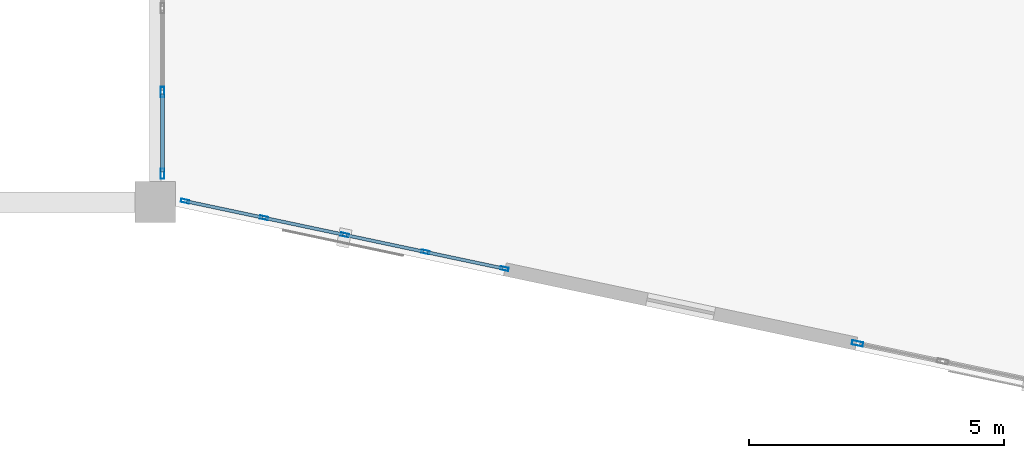
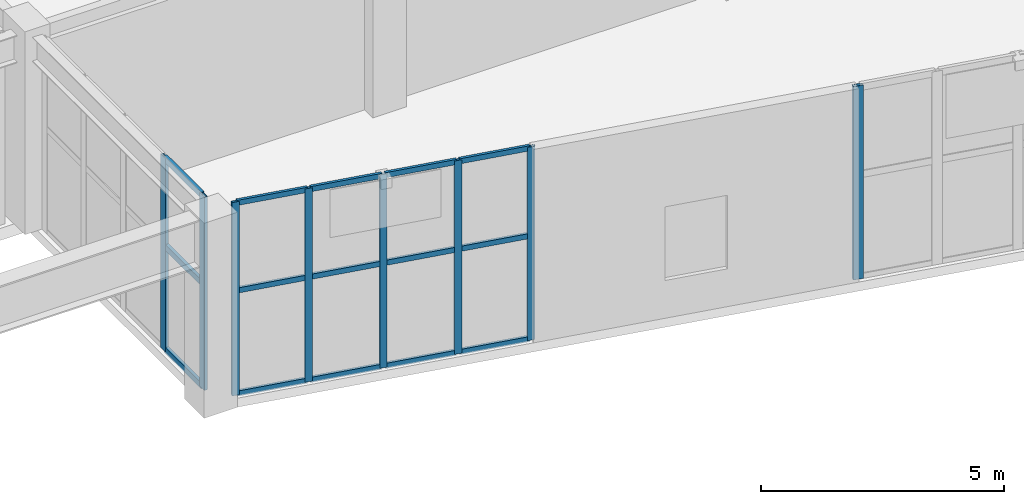
# One storey, part 13 of 128: 23 members, 3 elements without a shape of their own.
"""IFC4 building model written with IfcOpenShell, lengths in metres."""

from ifc_helpers import new_model, si_unit, direction, frame, origin, origin_2d, place, context, subcontext, project, spatial, hollow_rectangle, extrude, material, layer, layer_set, material_profile, profile_set, type_object, element, aggregate, save


model = new_model("IFC4")

# Units and contexts
model_context = context("Model", 3, precision=1e-05, world=origin(), true_north=direction((0.0, 1.0)))
body_context = subcontext(model_context, "Body", "Model", "MODEL_VIEW")
ifc_project = project(units=[si_unit("LENGTHUNIT", "METRE"), si_unit("AREAUNIT", "SQUARE_METRE"), si_unit("VOLUMEUNIT", "CUBIC_METRE"), si_unit("PLANEANGLEUNIT", "RADIAN"), si_unit("MASSUNIT", "GRAM", prefix="KILO")], contexts=[model_context])

# Site, building, storey
site_placement = place(None, origin())
site = spatial("IfcSite", under=ifc_project, at=site_placement, CompositionType="ELEMENT")
building_placement = place(site_placement, origin())
building = spatial("IfcBuilding", under=site, at=building_placement, Name="Xicomal Pleat Aquarium", CompositionType="ELEMENT")
storey_placement = place(building_placement, frame((0.0, 0.0, 5.39990234375)))
storey = spatial("IfcBuildingStorey", under=building, at=storey_placement, Name="L02", CompositionType="ELEMENT", Elevation=5.39990234375)

# Curtain wall, members
ifc_material_1 = material(Name="Bronze anodized aluminium 6063-T6", Category="aluminium")
ifc_layer_1 = layer(ifc_material_1, 0.159912109375)
ifc_layer_set_1 = layer_set([ifc_layer_1], Name="Bronze anodized aluminium 6063-T6")
curtain_wall_type_1 = type_object("IfcCurtainWallType", Name="CW-SYS-02", PredefinedType="NOTDEFINED", material=ifc_layer_set_1)
curtain_wall_1_placement = place(storey_placement, origin())
curtain_wall_1 = element("IfcCurtainWall", 1, at=curtain_wall_1_placement, inside=storey, type_object=curtain_wall_type_1, Name="L02 unitised curtain wall CW-L02-093", PredefinedType="NOTDEFINED")
ifc_material_2 = material(Name="Bronze anodized aluminium 6063-T6", Category="aluminium")
ifc_material_profile_1 = material_profile(ifc_material_2, hollow_rectangle(XDim=0.06494140625, YDim=0.159912109375, WallThickness=0.00390625, at=origin_2d()), Name="ALU MULL 65x160")
ifc_profile_set_1 = profile_set([ifc_material_profile_1], Name="Bronze anodized aluminium 6063-T6")
member_type_1 = type_object("IfcMemberType", Name="CWM-65x160", PredefinedType="MULLION", material=ifc_profile_set_1)
member_1_placement = place(storey_placement, frame((59.047119140625, 21.49365234375, 0.0), z_axis=(0.0, 0.0, 1.0), x_axis=(-0.207046823929, -0.978331034314, 0.0)))
member_1 = element("IfcMember", 2, at=member_1_placement, type_object=member_type_1, Name="CW-02 mullion 1", PredefinedType="MULLION", context=body_context, shape_type="SweptSolid", body=[
    extrude(hollow_rectangle(XDim=0.06494140625, YDim=0.159912109375, WallThickness=0.00390625, at=origin_2d()), origin(), (0.0, 0.0, 1.0), 4.860107421875),
])
member_2_placement = place(storey_placement, frame((57.497314453125, 21.82177734375, 0.0), z_axis=(0.0, 0.0, 1.0), x_axis=(-0.207046823929, -0.978331034314, 0.0)))
member_2 = element("IfcMember", 3, at=member_2_placement, type_object=member_type_1, Name="CW-02 mullion 2", PredefinedType="MULLION", context=body_context, shape_type="SweptSolid", body=[
    extrude(hollow_rectangle(XDim=0.06494140625, YDim=0.159912109375, WallThickness=0.00390625, at=origin_2d()), origin(), (0.0, 0.0, 1.0), 4.860107421875),
])
member_3_placement = place(storey_placement, frame((55.91552734375, 22.156494140625, 0.0), z_axis=(0.0, 0.0, 1.0), x_axis=(-0.207046823929, -0.978331034314, 0.0)))
member_3 = element("IfcMember", 4, at=member_3_placement, type_object=member_type_1, Name="CW-02 mullion 3", PredefinedType="MULLION", context=body_context, shape_type="SweptSolid", body=[
    extrude(hollow_rectangle(XDim=0.06494140625, YDim=0.159912109375, WallThickness=0.00390625, at=origin_2d()), origin(), (0.0, 0.0, 1.0), 4.860107421875),
])
member_4_placement = place(storey_placement, frame((54.333740234375, 22.4912109375, 0.0), z_axis=(0.0, 0.0, 1.0), x_axis=(-0.207046823929, -0.978331034314, 0.0)))
member_4 = element("IfcMember", 5, at=member_4_placement, type_object=member_type_1, Name="CW-02 mullion 4", PredefinedType="MULLION", context=body_context, shape_type="SweptSolid", body=[
    extrude(hollow_rectangle(XDim=0.06494140625, YDim=0.159912109375, WallThickness=0.00390625, at=origin_2d()), origin(), (0.0, 0.0, 1.0), 4.860107421875),
])
member_5_placement = place(storey_placement, frame((52.78369140625, 22.8193359375, 0.0), z_axis=(0.0, 0.0, 1.0), x_axis=(-0.207046823929, -0.978331034314, 0.0)))
member_5 = element("IfcMember", 6, at=member_5_placement, type_object=member_type_1, Name="CW-02 mullion 5", PredefinedType="MULLION", context=body_context, shape_type="SweptSolid", body=[
    extrude(hollow_rectangle(XDim=0.06494140625, YDim=0.159912109375, WallThickness=0.00390625, at=origin_2d()), origin(), (0.0, 0.0, 1.0), 4.860107421875),
])

ifc_material_3 = material(Name="Bronze anodized aluminium 6063-T6", Category="aluminium")
ifc_layer_2 = layer(ifc_material_3, 0.159912109375)
ifc_layer_set_2 = layer_set([ifc_layer_2], Name="Bronze anodized aluminium 6063-T6")
curtain_wall_type_2 = type_object("IfcCurtainWallType", Name="CW-SYS-07", PredefinedType="NOTDEFINED", material=ifc_layer_set_2)
curtain_wall_2_placement = place(storey_placement, origin())
curtain_wall_2 = element("IfcCurtainWall", 7, at=curtain_wall_2_placement, inside=storey, type_object=curtain_wall_type_2, Name="L02 unitised curtain wall CW-L02-094", PredefinedType="NOTDEFINED")
ifc_material_4 = material(Name="Bronze anodized aluminium 6063-T6", Category="aluminium")
ifc_material_profile_2 = material_profile(ifc_material_4, hollow_rectangle(XDim=0.074951171875, YDim=0.199951171875, WallThickness=0.00439453125, at=origin_2d()), Name="ALU MULL 75x200")
ifc_profile_set_2 = profile_set([ifc_material_profile_2], Name="Bronze anodized aluminium 6063-T6")
member_type_2 = type_object("IfcMemberType", Name="CWM-75x200", PredefinedType="MULLION", material=ifc_profile_set_2)
member_6_placement = place(storey_placement, frame((52.340087890625, 23.357421875, 0.0), z_axis=(0.0, 0.0, 1.0), x_axis=(-1.0, 0.0, 0.0)))
member_6 = element("IfcMember", 8, at=member_6_placement, type_object=member_type_2, Name="CW-07 mullion 1", PredefinedType="MULLION", context=body_context, shape_type="SweptSolid", body=[
    extrude(hollow_rectangle(XDim=0.074951171875, YDim=0.199951171875, WallThickness=0.00439453125, at=origin_2d()), origin(), (0.0, 0.0, 1.0), 4.860107421875),
])
member_7_placement = place(storey_placement, frame((52.340087890625, 24.9599609375, 0.0), z_axis=(0.0, 0.0, 1.0), x_axis=(-1.0, 0.0, 0.0)))
member_7 = element("IfcMember", 9, at=member_7_placement, type_object=member_type_2, Name="CW-07 mullion 2", PredefinedType="MULLION", context=body_context, shape_type="SweptSolid", body=[
    extrude(hollow_rectangle(XDim=0.074951171875, YDim=0.199951171875, WallThickness=0.00439453125, at=origin_2d()), origin(), (0.0, 0.0, 1.0), 4.860107421875),
])

# Curtain wall, member
ifc_material_5 = material(Name="Bronze anodized aluminium 6063-T6", Category="aluminium")
ifc_layer_3 = layer(ifc_material_5, 0.159912109375)
ifc_layer_set_3 = layer_set([ifc_layer_3], Name="Bronze anodized aluminium 6063-T6")
curtain_wall_type_3 = type_object("IfcCurtainWallType", Name="CW-SYS-12", PredefinedType="NOTDEFINED", material=ifc_layer_set_3)
curtain_wall_3_placement = place(storey_placement, origin())
curtain_wall_3 = element("IfcCurtainWall", 10, at=curtain_wall_3_placement, inside=storey, type_object=curtain_wall_type_3, Name="L02 unitised curtain wall CW-L02-092", PredefinedType="NOTDEFINED")
ifc_material_6 = material(Name="Bronze anodized aluminium 6063-T6", Category="aluminium")
ifc_material_profile_3 = material_profile(ifc_material_6, hollow_rectangle(XDim=0.0849609375, YDim=0.219970703125, WallThickness=0.0048828125, at=origin_2d()), Name="ALU MULL 85x220")
ifc_profile_set_3 = profile_set([ifc_material_profile_3], Name="Bronze anodized aluminium 6063-T6")
member_type_3 = type_object("IfcMemberType", Name="CWM-85x220", PredefinedType="MULLION", material=ifc_profile_set_3)
member_8_placement = place(storey_placement, frame((65.970703125, 20.0283203125, 0.0), z_axis=(0.0, 0.0, 1.0), x_axis=(-0.207090034789, -0.978321888486, 0.0)))
member_8 = element("IfcMember", 11, at=member_8_placement, type_object=member_type_3, Name="CW-12 mullion 5", PredefinedType="MULLION", context=body_context, shape_type="SweptSolid", body=[
    extrude(hollow_rectangle(XDim=0.0849609375, YDim=0.219970703125, WallThickness=0.0048828125, at=origin_2d()), origin(), (0.0, 0.0, 1.0), 4.860107421875),
])
aggregate(curtain_wall_3, [member_8])

# Member
ifc_material_7 = material(Name="Bronze anodized aluminium 6063-T6", Category="aluminium")
ifc_material_profile_4 = material_profile(ifc_material_7, hollow_rectangle(XDim=0.06494140625, YDim=0.1298828125, WallThickness=0.00390625, at=origin_2d()), Name="ALU TRAN 65x130")
ifc_profile_set_4 = profile_set([ifc_material_profile_4], Name="Bronze anodized aluminium 6063-T6")
member_type_4 = type_object("IfcMemberType", Name="CWT-65x130", PredefinedType="USERDEFINED", material=ifc_profile_set_4)
member_9_placement = place(storey_placement, frame((59.015380859375, 21.50048828125, 0.03271484375), z_axis=(-0.978344696941, 0.2069822552, 0.0), x_axis=(-0.2069822552, -0.978344696941, 0.0)))
member_9 = element("IfcMember", 12, at=member_9_placement, type_object=member_type_4, Name="CW-02 transom 1.1", ObjectType="TRANSOM", PredefinedType="USERDEFINED", context=body_context, shape_type="SweptSolid", body=[
    extrude(hollow_rectangle(XDim=0.06494140625, YDim=0.1298828125, WallThickness=0.00390625, at=origin_2d()), origin(), (0.0, 0.0, 1.0), 1.519287109375),
])

member_10_placement = place(storey_placement, frame((59.015380859375, 21.50048828125, 2.6240234375), z_axis=(-0.978344696941, 0.2069822552, 0.0), x_axis=(-0.2069822552, -0.978344696941, 0.0)))
member_10 = element("IfcMember", 13, at=member_10_placement, type_object=member_type_4, Name="CW-02 transom 1.2", ObjectType="TRANSOM", PredefinedType="USERDEFINED", context=body_context, shape_type="SweptSolid", body=[
    extrude(hollow_rectangle(XDim=0.06494140625, YDim=0.1298828125, WallThickness=0.00390625, at=origin_2d()), origin(), (0.0, 0.0, 1.0), 1.519287109375),
])

member_11_placement = place(storey_placement, frame((59.015380859375, 21.50048828125, 4.82763671875), z_axis=(-0.978344696941, 0.2069822552, 0.0), x_axis=(-0.2069822552, -0.978344696941, 0.0)))
member_11 = element("IfcMember", 14, at=member_11_placement, type_object=member_type_4, Name="CW-02 transom 1.3", ObjectType="TRANSOM", PredefinedType="USERDEFINED", context=body_context, shape_type="SweptSolid", body=[
    extrude(hollow_rectangle(XDim=0.06494140625, YDim=0.1298828125, WallThickness=0.00390625, at=origin_2d()), origin(), (0.0, 0.0, 1.0), 1.519287109375),
])

member_12_placement = place(storey_placement, frame((57.465576171875, 21.82861328125, 0.03271484375), z_axis=(-0.978335612202, 0.207025191455, 0.0), x_axis=(-0.207025191455, -0.978335612202, 0.0)))
member_12 = element("IfcMember", 15, at=member_12_placement, type_object=member_type_4, Name="CW-02 transom 2.1", ObjectType="TRANSOM", PredefinedType="USERDEFINED", context=body_context, shape_type="SweptSolid", body=[
    extrude(hollow_rectangle(XDim=0.06494140625, YDim=0.1298828125, WallThickness=0.00390625, at=origin_2d()), origin(), (0.0, 0.0, 1.0), 1.552001953125),
])

member_13_placement = place(storey_placement, frame((57.465576171875, 21.82861328125, 2.6240234375), z_axis=(-0.978335612202, 0.207025191455, 0.0), x_axis=(-0.207025191455, -0.978335612202, 0.0)))
member_13 = element("IfcMember", 16, at=member_13_placement, type_object=member_type_4, Name="CW-02 transom 2.2", ObjectType="TRANSOM", PredefinedType="USERDEFINED", context=body_context, shape_type="SweptSolid", body=[
    extrude(hollow_rectangle(XDim=0.06494140625, YDim=0.1298828125, WallThickness=0.00390625, at=origin_2d()), origin(), (0.0, 0.0, 1.0), 1.552001953125),
])

member_14_placement = place(storey_placement, frame((57.465576171875, 21.82861328125, 4.82763671875), z_axis=(-0.978335612202, 0.207025191455, 0.0), x_axis=(-0.207025191455, -0.978335612202, 0.0)))
member_14 = element("IfcMember", 17, at=member_14_placement, type_object=member_type_4, Name="CW-02 transom 2.3", ObjectType="TRANSOM", PredefinedType="USERDEFINED", context=body_context, shape_type="SweptSolid", body=[
    extrude(hollow_rectangle(XDim=0.06494140625, YDim=0.1298828125, WallThickness=0.00390625, at=origin_2d()), origin(), (0.0, 0.0, 1.0), 1.552001953125),
])

member_15_placement = place(storey_placement, frame((55.8837890625, 22.1630859375, 0.03271484375), z_axis=(-0.978303739263, 0.207175755686, 0.0), x_axis=(-0.207175755686, -0.978303739263, 0.0)))
member_15 = element("IfcMember", 18, at=member_15_placement, type_object=member_type_4, Name="CW-02 transom 3.1", ObjectType="TRANSOM", PredefinedType="USERDEFINED", context=body_context, shape_type="SweptSolid", body=[
    extrude(hollow_rectangle(XDim=0.06494140625, YDim=0.1298828125, WallThickness=0.00390625, at=origin_2d()), origin(), (0.0, 0.0, 1.0), 1.552001953125),
])

member_16_placement = place(storey_placement, frame((55.8837890625, 22.1630859375, 2.6240234375), z_axis=(-0.978303739263, 0.207175755686, 0.0), x_axis=(-0.207175755686, -0.978303739263, 0.0)))
member_16 = element("IfcMember", 19, at=member_16_placement, type_object=member_type_4, Name="CW-02 transom 3.2", ObjectType="TRANSOM", PredefinedType="USERDEFINED", context=body_context, shape_type="SweptSolid", body=[
    extrude(hollow_rectangle(XDim=0.06494140625, YDim=0.1298828125, WallThickness=0.00390625, at=origin_2d()), origin(), (0.0, 0.0, 1.0), 1.552001953125),
])

member_17_placement = place(storey_placement, frame((55.8837890625, 22.1630859375, 4.82763671875), z_axis=(-0.978303739263, 0.207175755686, 0.0), x_axis=(-0.207175755686, -0.978303739263, 0.0)))
member_17 = element("IfcMember", 20, at=member_17_placement, type_object=member_type_4, Name="CW-02 transom 3.3", ObjectType="TRANSOM", PredefinedType="USERDEFINED", context=body_context, shape_type="SweptSolid", body=[
    extrude(hollow_rectangle(XDim=0.06494140625, YDim=0.1298828125, WallThickness=0.00390625, at=origin_2d()), origin(), (0.0, 0.0, 1.0), 1.552001953125),
])

member_18_placement = place(storey_placement, frame((54.302001953125, 22.498046875, 0.03271484375), z_axis=(-0.978344696941, 0.2069822552, 0.0), x_axis=(-0.2069822552, -0.978344696941, 0.0)))
member_18 = element("IfcMember", 21, at=member_18_placement, type_object=member_type_4, Name="CW-02 transom 4.1", ObjectType="TRANSOM", PredefinedType="USERDEFINED", context=body_context, shape_type="SweptSolid", body=[
    extrude(hollow_rectangle(XDim=0.06494140625, YDim=0.1298828125, WallThickness=0.00390625, at=origin_2d()), origin(), (0.0, 0.0, 1.0), 1.519287109375),
])

member_19_placement = place(storey_placement, frame((54.302001953125, 22.498046875, 2.6240234375), z_axis=(-0.978344696941, 0.2069822552, 0.0), x_axis=(-0.2069822552, -0.978344696941, 0.0)))
member_19 = element("IfcMember", 22, at=member_19_placement, type_object=member_type_4, Name="CW-02 transom 4.2", ObjectType="TRANSOM", PredefinedType="USERDEFINED", context=body_context, shape_type="SweptSolid", body=[
    extrude(hollow_rectangle(XDim=0.06494140625, YDim=0.1298828125, WallThickness=0.00390625, at=origin_2d()), origin(), (0.0, 0.0, 1.0), 1.519287109375),
])

member_20_placement = place(storey_placement, frame((54.302001953125, 22.498046875, 4.82763671875), z_axis=(-0.978344696941, 0.2069822552, 0.0), x_axis=(-0.2069822552, -0.978344696941, 0.0)))
member_20 = element("IfcMember", 23, at=member_20_placement, type_object=member_type_4, Name="CW-02 transom 4.3", ObjectType="TRANSOM", PredefinedType="USERDEFINED", context=body_context, shape_type="SweptSolid", body=[
    extrude(hollow_rectangle(XDim=0.06494140625, YDim=0.1298828125, WallThickness=0.00390625, at=origin_2d()), origin(), (0.0, 0.0, 1.0), 1.519287109375),
])

aggregate(curtain_wall_1, [member_1, member_2, member_3, member_4, member_5, member_9, member_10, member_11, member_12, member_13, member_14, member_15, member_16, member_17, member_18, member_19, member_20])

ifc_material_8 = material(Name="Bronze anodized aluminium 6063-T6", Category="aluminium")
ifc_material_profile_5 = material_profile(ifc_material_8, hollow_rectangle(XDim=0.074951171875, YDim=0.14990234375, WallThickness=0.00439453125, at=origin_2d()), Name="ALU TRAN 75x150")
ifc_profile_set_5 = profile_set([ifc_material_profile_5], Name="Bronze anodized aluminium 6063-T6")
member_type_5 = type_object("IfcMemberType", Name="CWT-75x150", PredefinedType="USERDEFINED", material=ifc_profile_set_5)
member_21_placement = place(storey_placement, frame((52.340087890625, 23.39501953125, 0.03759765625), z_axis=(0.0, 1.0, 0.0), x_axis=(-1.0, 0.0, 0.0)))
member_21 = element("IfcMember", 24, at=member_21_placement, type_object=member_type_5, Name="CW-07 transom 1.1", ObjectType="TRANSOM", PredefinedType="USERDEFINED", context=body_context, shape_type="SweptSolid", body=[
    extrude(hollow_rectangle(XDim=0.074951171875, YDim=0.14990234375, WallThickness=0.00439453125, at=origin_2d()), origin(), (0.0, 0.0, 1.0), 1.527587890625),
])

member_22_placement = place(storey_placement, frame((52.340087890625, 23.39501953125, 2.6240234375), z_axis=(0.0, 1.0, 0.0), x_axis=(-1.0, 0.0, 0.0)))
member_22 = element("IfcMember", 25, at=member_22_placement, type_object=member_type_5, Name="CW-07 transom 1.2", ObjectType="TRANSOM", PredefinedType="USERDEFINED", context=body_context, shape_type="SweptSolid", body=[
    extrude(hollow_rectangle(XDim=0.074951171875, YDim=0.14990234375, WallThickness=0.00439453125, at=origin_2d()), origin(), (0.0, 0.0, 1.0), 1.527587890625),
])

member_23_placement = place(storey_placement, frame((52.340087890625, 23.39501953125, 4.822509765625), z_axis=(0.0, 1.0, 0.0), x_axis=(-1.0, 0.0, 0.0)))
member_23 = element("IfcMember", 26, at=member_23_placement, type_object=member_type_5, Name="CW-07 transom 1.3", ObjectType="TRANSOM", PredefinedType="USERDEFINED", context=body_context, shape_type="SweptSolid", body=[
    extrude(hollow_rectangle(XDim=0.074951171875, YDim=0.14990234375, WallThickness=0.00439453125, at=origin_2d()), origin(), (0.0, 0.0, 1.0), 1.527587890625),
])

aggregate(curtain_wall_2, [member_6, member_7, member_21, member_22, member_23])

save(model, "model.ifc")
